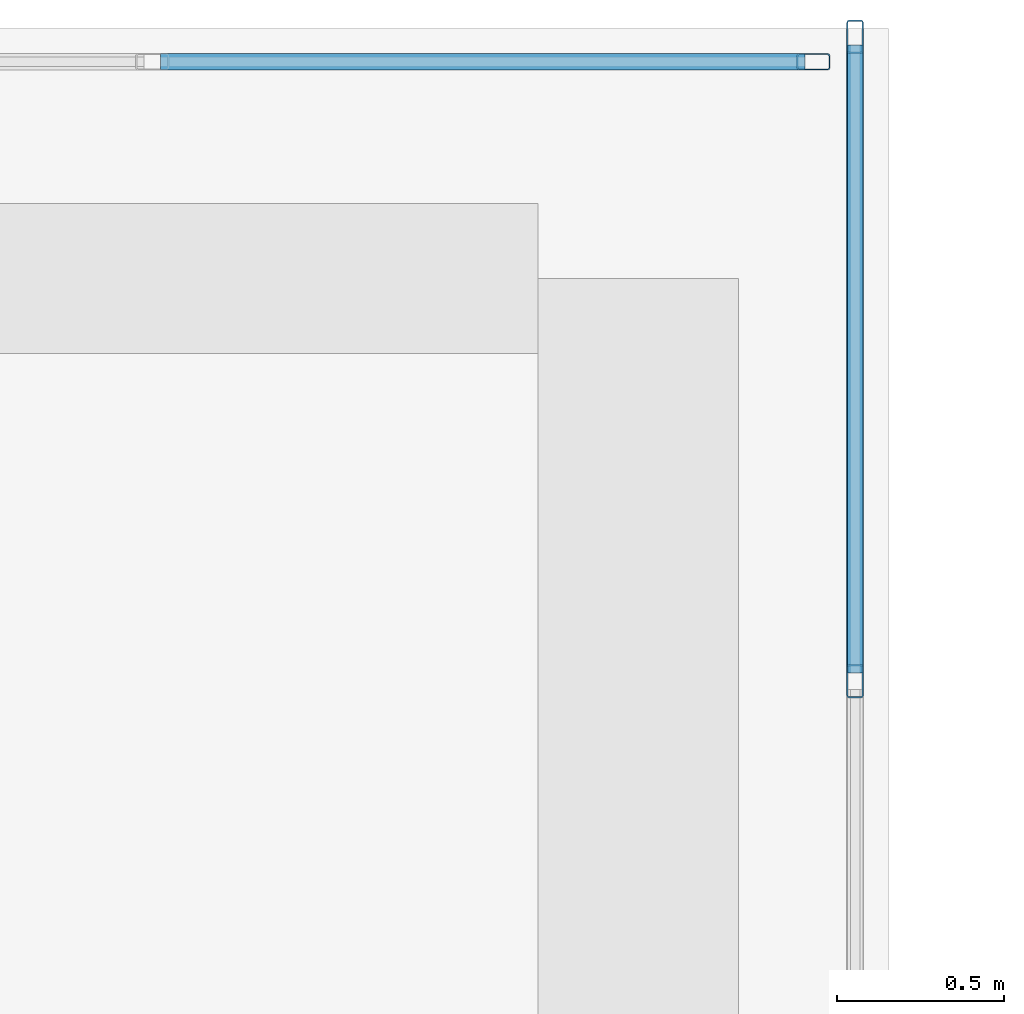
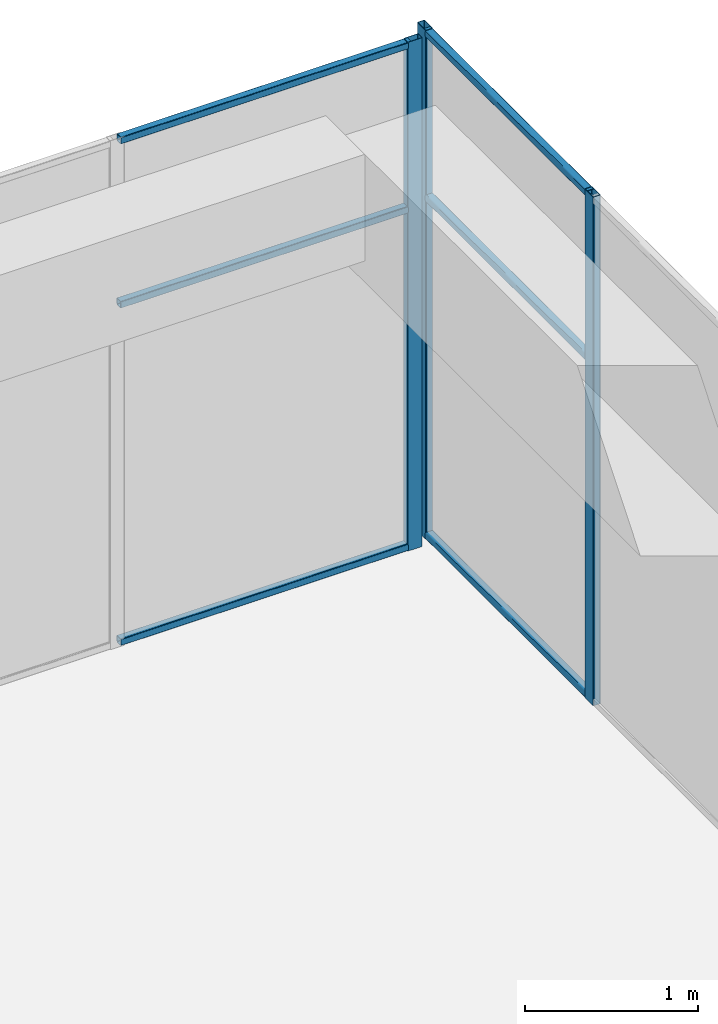
# One storey, part 29 of 36: 9 members, 2 elements without a shape of their own.
"""IFC4 building model written with IfcOpenShell, lengths in metres."""

from ifc_helpers import new_model, si_unit, direction, frame, origin, origin_2d, place, context, subcontext, project, spatial, hollow_rectangle, extrude, material, layer, layer_set, material_profile, profile_set, type_object, element, aggregate, save


model = new_model("IFC4")

# Units and contexts
model_context = context("Model", 3, precision=1e-05, world=origin(), true_north=direction((0.0, 1.0)))
body_context = subcontext(model_context, "Body", "Model", "MODEL_VIEW")
ifc_project = project(units=[si_unit("LENGTHUNIT", "METRE"), si_unit("AREAUNIT", "SQUARE_METRE"), si_unit("VOLUMEUNIT", "CUBIC_METRE"), si_unit("PLANEANGLEUNIT", "RADIAN"), si_unit("MASSUNIT", "GRAM", prefix="KILO")], contexts=[model_context])

# Site, building, storey
site_placement = place(None, origin())
site = spatial("IfcSite", under=ifc_project, at=site_placement, CompositionType="ELEMENT")
building_placement = place(site_placement, origin())
building = spatial("IfcBuilding", under=site, at=building_placement, Name="Tuart Plaza Theatre", CompositionType="ELEMENT")
storey_placement = place(building_placement, frame((0.0, 0.0, 61.5)))
storey = spatial("IfcBuildingStorey", under=building, at=storey_placement, Name="L15", CompositionType="ELEMENT", Elevation=61.5)

# Curtain wall, members
ifc_material_1 = material(Name="Aluminium and glass", Category="aluminium")
ifc_layer = layer(ifc_material_1, 0.10009765625)
ifc_layer_set = layer_set([ifc_layer], Name="CURTAIN WALL 2000 module")
curtain_wall_type = type_object("IfcCurtainWallType", Name="CURTAIN WALL 2000 module", PredefinedType="NOTDEFINED", material=ifc_layer_set)
curtain_wall_1_placement = place(storey_placement, origin())
curtain_wall_1 = element("IfcCurtainWall", 1, at=curtain_wall_1_placement, inside=storey, type_object=curtain_wall_type, Name="CW116", PredefinedType="NOTDEFINED")
ifc_material_2 = material(Name="Aluminium 6063-T5", Category="aluminium")
ifc_material_profile_1 = material_profile(ifc_material_2, hollow_rectangle(XDim=0.050048828125, YDim=0.10009765625, WallThickness=0.00390625, InnerFilletRadius=0.00390625, OuterFilletRadius=0.008056640625, at=origin_2d()), Name="RHS 100x50x4")
ifc_profile_set_1 = profile_set([ifc_material_profile_1], Name="Aluminium 6063-T5")
member_type_1 = type_object("IfcMemberType", Name="MULLION RHS 100x50x4", PredefinedType="MULLION", material=ifc_profile_set_1)
member_1_placement = place(storey_placement, frame((141.64990234375, 95.29296875, 0.0), z_axis=(0.0, 0.0, 1.0), x_axis=(-1.0, 0.0, 0.0)))
member_1 = element("IfcMember", 2, at=member_1_placement, type_object=member_type_1, Name="CW116 mullion 7", PredefinedType="MULLION", context=body_context, shape_type="SweptSolid", body=[
    extrude(hollow_rectangle(XDim=0.050048828125, YDim=0.10009765625, WallThickness=0.00390625, InnerFilletRadius=0.00390625, OuterFilletRadius=0.008056640625, at=origin_2d()), origin(), (0.0, 0.0, 1.0), 3.580078125),
])
member_2_placement = place(storey_placement, frame((141.64990234375, 97.22509765625, 0.0), z_axis=(0.0, 0.0, 1.0), x_axis=(-1.0, 0.0, 0.0)))
member_2 = element("IfcMember", 3, at=member_2_placement, type_object=member_type_1, Name="CW116 mullion 8", PredefinedType="MULLION", context=body_context, shape_type="SweptSolid", body=[
    extrude(hollow_rectangle(XDim=0.050048828125, YDim=0.10009765625, WallThickness=0.00390625, InnerFilletRadius=0.00390625, OuterFilletRadius=0.008056640625, at=origin_2d()), origin(), (0.0, 0.0, 1.0), 3.580078125),
])

# Curtain wall, member
curtain_wall_2_placement = place(storey_placement, origin())
curtain_wall_2 = element("IfcCurtainWall", 4, at=curtain_wall_2_placement, inside=storey, type_object=curtain_wall_type, Name="CW117", PredefinedType="NOTDEFINED")
member_3_placement = place(storey_placement, frame((141.52490234375, 97.14990234375, 0.0), z_axis=(0.0, 0.0, 1.0), x_axis=(0.0, -1.0, 0.0)))
member_3 = element("IfcMember", 5, at=member_3_placement, type_object=member_type_1, Name="CW117 mullion 1", PredefinedType="MULLION", context=body_context, shape_type="SweptSolid", body=[
    extrude(hollow_rectangle(XDim=0.050048828125, YDim=0.10009765625, WallThickness=0.00390625, InnerFilletRadius=0.00390625, OuterFilletRadius=0.008056640625, at=origin_2d()), origin(), (0.0, 0.0, 1.0), 3.580078125),
])

# Member
ifc_material_3 = material(Name="Aluminium 6063-T5", Category="aluminium")
ifc_material_profile_2 = material_profile(ifc_material_3, hollow_rectangle(XDim=0.050048828125, YDim=0.050048828125, WallThickness=0.00390625, InnerFilletRadius=0.00390625, OuterFilletRadius=0.008056640625, at=origin_2d()), Name="RHS 50x50x4")
ifc_profile_set_2 = profile_set([ifc_material_profile_2], Name="Aluminium 6063-T5")
member_type_2 = type_object("IfcMemberType", Name="TRANSOM RHS 50x50x4", PredefinedType="USERDEFINED", material=ifc_profile_set_2)
member_4_placement = place(storey_placement, frame((141.64990234375, 95.31787109375, 0.02490234375), z_axis=(0.0, 1.0, 0.0), x_axis=(-1.0, 0.0, 0.0)))
member_4 = element("IfcMember", 6, at=member_4_placement, type_object=member_type_2, Name="CW116 transom 7.1", ObjectType="TRANSOM", PredefinedType="USERDEFINED", context=body_context, shape_type="SweptSolid", body=[
    extrude(hollow_rectangle(XDim=0.050048828125, YDim=0.050048828125, WallThickness=0.00390625, InnerFilletRadius=0.00390625, OuterFilletRadius=0.008056640625, at=origin_2d()), origin(), (0.0, 0.0, 1.0), 1.882080078125),
])

member_5_placement = place(storey_placement, frame((141.64990234375, 95.31787109375, 2.39990234375), z_axis=(0.0, 1.0, 0.0), x_axis=(-1.0, 0.0, 0.0)))
member_5 = element("IfcMember", 7, at=member_5_placement, type_object=member_type_2, Name="CW116 transom 7.2", ObjectType="TRANSOM", PredefinedType="USERDEFINED", context=body_context, shape_type="SweptSolid", body=[
    extrude(hollow_rectangle(XDim=0.050048828125, YDim=0.050048828125, WallThickness=0.00390625, InnerFilletRadius=0.00390625, OuterFilletRadius=0.008056640625, at=origin_2d()), origin(), (0.0, 0.0, 1.0), 1.882080078125),
])

member_6_placement = place(storey_placement, frame((141.64990234375, 95.31787109375, 3.554931640625), z_axis=(0.0, 1.0, 0.0), x_axis=(-1.0, 0.0, 0.0)))
member_6 = element("IfcMember", 8, at=member_6_placement, type_object=member_type_2, Name="CW116 transom 7.3", ObjectType="TRANSOM", PredefinedType="USERDEFINED", context=body_context, shape_type="SweptSolid", body=[
    extrude(hollow_rectangle(XDim=0.050048828125, YDim=0.050048828125, WallThickness=0.00390625, InnerFilletRadius=0.00390625, OuterFilletRadius=0.008056640625, at=origin_2d()), origin(), (0.0, 0.0, 1.0), 1.882080078125),
])

aggregate(curtain_wall_1, [member_1, member_2, member_4, member_5, member_6])

member_7_placement = place(storey_placement, frame((141.5, 97.14990234375, 0.02490234375), z_axis=(-1.0, 0.0, 0.0), x_axis=(0.0, -1.0, 0.0)))
member_7 = element("IfcMember", 9, at=member_7_placement, type_object=member_type_2, Name="CW117 transom 1.1", ObjectType="TRANSOM", PredefinedType="USERDEFINED", context=body_context, shape_type="SweptSolid", body=[
    extrude(hollow_rectangle(XDim=0.050048828125, YDim=0.050048828125, WallThickness=0.00390625, InnerFilletRadius=0.00390625, OuterFilletRadius=0.008056640625, at=origin_2d()), origin(), (0.0, 0.0, 1.0), 1.93212890625),
])

member_8_placement = place(storey_placement, frame((141.5, 97.14990234375, 2.39990234375), z_axis=(-1.0, 0.0, 0.0), x_axis=(0.0, -1.0, 0.0)))
member_8 = element("IfcMember", 10, at=member_8_placement, type_object=member_type_2, Name="CW117 transom 1.2", ObjectType="TRANSOM", PredefinedType="USERDEFINED", context=body_context, shape_type="SweptSolid", body=[
    extrude(hollow_rectangle(XDim=0.050048828125, YDim=0.050048828125, WallThickness=0.00390625, InnerFilletRadius=0.00390625, OuterFilletRadius=0.008056640625, at=origin_2d()), origin(), (0.0, 0.0, 1.0), 1.93212890625),
])

member_9_placement = place(storey_placement, frame((141.5, 97.14990234375, 3.554931640625), z_axis=(-1.0, 0.0, 0.0), x_axis=(0.0, -1.0, 0.0)))
member_9 = element("IfcMember", 11, at=member_9_placement, type_object=member_type_2, Name="CW117 transom 1.3", ObjectType="TRANSOM", PredefinedType="USERDEFINED", context=body_context, shape_type="SweptSolid", body=[
    extrude(hollow_rectangle(XDim=0.050048828125, YDim=0.050048828125, WallThickness=0.00390625, InnerFilletRadius=0.00390625, OuterFilletRadius=0.008056640625, at=origin_2d()), origin(), (0.0, 0.0, 1.0), 1.93212890625),
])

aggregate(curtain_wall_2, [member_3, member_7, member_8, member_9])

save(model, "model.ifc")
